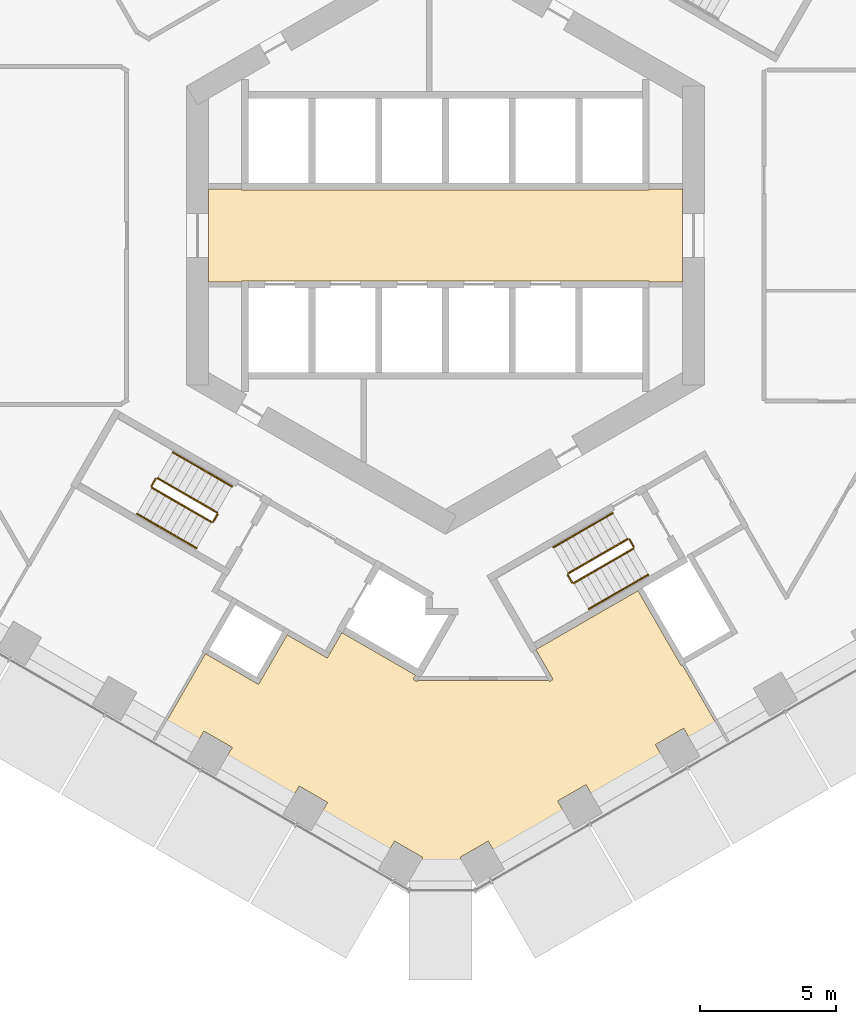
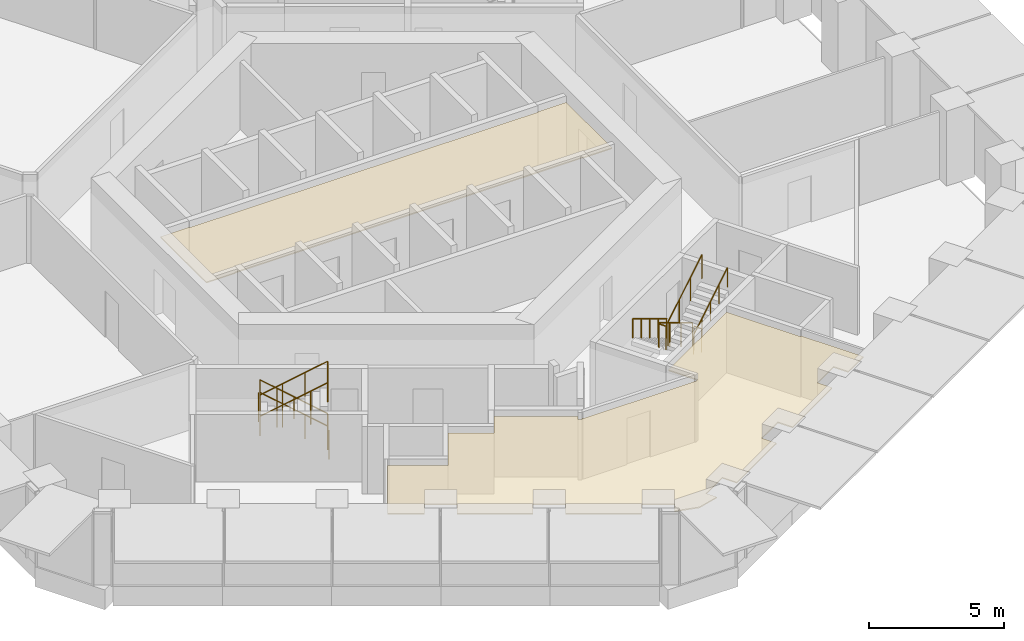
# One storey, part 17 of 19: 16 railings, 2 coverings.
"""IFC4 building model written with IfcOpenShell, lengths in metres."""

from ifc_helpers import new_model, si_unit, direction, frame, origin, origin_2d, place, context, subcontext, project, spatial, polyline, circle, outline, extrude, material, layer, layer_set, type_object, element, save


model = new_model("IFC4")

# Units and contexts
model_context = context("Model", 3, precision=1e-05, world=origin(), true_north=direction((0.0, 1.0)))
body_context = subcontext(model_context, "Body", "Model", "MODEL_VIEW")
ifc_project = project(units=[si_unit("LENGTHUNIT", "METRE"), si_unit("AREAUNIT", "SQUARE_METRE"), si_unit("VOLUMEUNIT", "CUBIC_METRE"), si_unit("PLANEANGLEUNIT", "RADIAN"), si_unit("MASSUNIT", "GRAM", prefix="KILO")], contexts=[model_context])

# Site, building, storey
site_placement = place(None, origin())
site = spatial("IfcSite", under=ifc_project, at=site_placement, CompositionType="ELEMENT")
building_placement = place(site_placement, origin())
building = spatial("IfcBuilding", under=site, at=building_placement, Name="Ayvan Gate Tower", CompositionType="ELEMENT")
storey_placement = place(building_placement, frame((0.0, 0.0, 32.300048828125)))
storey = spatial("IfcBuildingStorey", under=building, at=storey_placement, Name="L07", CompositionType="ELEMENT", Elevation=32.300048828125)

# Coverings
ifc_material_1 = material(Name="Plasterboard suspended ceiling")
ifc_layer = layer(ifc_material_1, 0.050048828125)
ifc_layer_set = layer_set([ifc_layer], Name="Plasterboard suspended ceiling")
covering_type = type_object("IfcCoveringType", Name="CT-SUSP-50", PredefinedType="CEILING", material=ifc_layer_set)
covering_1_placement = place(storey_placement, frame((0.0, 0.0, 2.699951171875)))
element("IfcCovering", 1, at=covering_1_placement, inside=storey, type_object=covering_type, Name="Ceiling Lift Lobby L07", PredefinedType="CEILING", context=body_context, shape_type="SweptSolid", body=[
    extrude(outline(polyline([(7.47509765625, -1.675048828125), (-7.47509765625, -1.675048828125), (-7.47509765625, -1.699951171875), (-8.699951171875, -1.699951171875), (-8.699951171875, 1.699951171875), (-7.47509765625, 1.699951171875), (-7.47509765625, 1.675048828125), (7.47509765625, 1.675048828125), (7.47509765625, 1.699951171875), (8.699951171875, 1.699951171875), (8.699951171875, -1.699951171875), (7.47509765625, -1.699951171875), (7.47509765625, -1.675048828125)])), origin(), (0.0, 0.0, 1.0), 0.050048828125),
])
covering_2_placement = place(storey_placement, frame((0.0, 0.0, 2.699951171875)))
element("IfcCovering", 2, at=covering_2_placement, inside=storey, type_object=covering_type, Name="Ceiling Shared Kitchen L07", PredefinedType="CEILING", context=body_context, shape_type="SweptSolid", body=[
    extrude(outline(polyline([(-6.858154296875, -16.478515625), (-6.76806640625, -16.32275390625), (-5.80810546875, -14.659912109375), (-4.3359375, -15.510009765625), (-4.245849609375, -15.35400390625), (-4.235595703125, -15.33642578125), (-3.798583984375, -14.5791015625), (-3.775390625, -14.59228515625), (-1.092041015625, -16.1416015625), (-1.1806640625, -16.294921875), (-1.050537109375, -16.369873046875), (-1.003173828125, -16.287353515625), (-1.003173828125, -16.34228515625), (3.7744140625, -16.34228515625), (3.7744140625, -16.287353515625), (3.822021484375, -16.369873046875), (3.951904296875, -16.294921875), (3.320556640625, -15.201416015625), (3.346435546875, -15.186279296875), (7.066162109375, -13.038818359375), (8.653564453125, -15.78857421875), (8.697021484375, -15.763427734375), (10.02978515625, -18.072265625), (9.059326171875, -18.632568359375), (8.744384765625, -18.08740234375), (7.705078125, -18.687255859375), (8.02001953125, -19.232666015625), (6.1767578125, -20.296875), (5.47265625, -20.703369140625), (5.15771484375, -20.157958984375), (4.11865234375, -20.758056640625), (4.433349609375, -21.30322265625), (1.885986328125, -22.77392578125), (1.5712890625, -22.228759765625), (0.531982421875, -22.82861328125), (0.76416015625, -23.230712890625), (-0.11865234375, -23.46728515625), (-1.052978515625, -23.217041015625), (-0.828857421875, -22.82861328125), (-1.867919921875, -22.228759765625), (-2.16796875, -22.748291015625), (-4.156982421875, -21.60009765625), (-4.626220703125, -21.3291015625), (-4.326416015625, -20.809326171875), (-5.365478515625, -20.20947265625), (-5.66552734375, -20.72900390625), (-8.123779296875, -19.309814453125), (-7.823974609375, -18.7900390625), (-8.863037109375, -18.18994140625), (-9.1630859375, -18.709716796875), (-10.34912109375, -18.02490234375), (-8.806640625, -15.353515625), (-8.763427734375, -15.378662109375), (-6.858154296875, -16.478515625)])), origin(), (0.0, 0.0, 1.0), 0.050048828125),
])

# Railings
ifc_material_2 = material(Name="Stainless steel balustrade", Category="steel")
railing_type_1 = type_object("IfcRailingType", Name="RL-GUARD-1100", PredefinedType="GUARDRAIL", material=ifc_material_2)
railing_1_placement = place(storey_placement, frame((-8.381103515625, -10.16650390625, 0.169921875)))
element("IfcRailing", 3, at=railing_1_placement, inside=storey, type_object=railing_type_1, Name="L07 STS2 stair guard 1", PredefinedType="GUARDRAIL", context=body_context, shape_type="SweptSolid", body=[
    extrude(circle(Radius=0.02392578125, at=origin_2d()), frame((0.0, 0.0, 1.076171875), z_axis=(-0.740261155115, 0.427395438142, 0.518986090067), x_axis=(-0.500004791531, -0.866022637375, 0.0)), (0.0, 0.0, 1.0), 2.947998046875),
    extrude(circle(Radius=0.02099609375, at=origin_2d()), origin(), (0.0, 0.0, 1.0), 1.052001953125),
    extrude(circle(Radius=0.02099609375, at=origin_2d()), frame((-0.7275390625, 0.419921875, 0.510009765625)), (0.0, 0.0, 1.0), 1.052001953125),
    extrude(circle(Radius=0.02099609375, at=origin_2d()), frame((-1.454833984375, 0.840087890625, 1.02001953125)), (0.0, 0.0, 1.0), 1.052001953125),
    extrude(circle(Radius=0.02099609375, at=origin_2d()), frame((-2.182373046875, 1.260009765625, 1.530029296875)), (0.0, 0.0, 1.0), 1.052001953125),
])
railing_2_placement = place(storey_placement, frame((-10.6318359375, -8.9248046875, 1.699951171875)))
element("IfcRailing", 4, at=railing_2_placement, inside=storey, type_object=railing_type_1, Name="L07 STS2 stair guard 2", PredefinedType="GUARDRAIL", context=body_context, shape_type="SweptSolid", body=[
    extrude(circle(Radius=0.02392578125, at=origin_2d()), frame((0.0, 0.0, 1.076171875), z_axis=(-0.499949632511, -0.866054481515, 0.0), x_axis=(0.866054481515, -0.499949632511, 0.0)), (0.0, 0.0, 1.0), 0.31005859375),
    extrude(circle(Radius=0.02099609375, at=origin_2d()), origin(), (0.0, 0.0, 1.0), 1.052001953125),
    extrude(circle(Radius=0.02099609375, at=origin_2d()), frame((-0.155029296875, -0.2685546875, 0.0)), (0.0, 0.0, 1.0), 1.052001953125),
])
railing_3_placement = place(storey_placement, frame((-10.7685546875, -9.261474609375, 1.869873046875)))
element("IfcRailing", 5, at=railing_3_placement, inside=storey, type_object=railing_type_1, Name="L07 STS2 stair guard 3", PredefinedType="GUARDRAIL", context=body_context, shape_type="SweptSolid", body=[
    extrude(circle(Radius=0.02392578125, at=origin_2d()), frame((0.0, 0.0, 1.076171875), z_axis=(0.740261155115, -0.427395438142, 0.518986090067), x_axis=(0.500004791531, 0.866022637375, 0.0)), (0.0, 0.0, 1.0), 2.947998046875),
    extrude(circle(Radius=0.02099609375, at=origin_2d()), origin(), (0.0, 0.0, 1.0), 1.052001953125),
    extrude(circle(Radius=0.02099609375, at=origin_2d()), frame((0.7275390625, -0.419921875, 0.510009765625)), (0.0, 0.0, 1.0), 1.052001953125),
    extrude(circle(Radius=0.02099609375, at=origin_2d()), frame((1.454833984375, -0.840087890625, 1.02001953125)), (0.0, 0.0, 1.0), 1.052001953125),
    extrude(circle(Radius=0.02099609375, at=origin_2d()), frame((2.182373046875, -1.260009765625, 1.530029296875)), (0.0, 0.0, 1.0), 1.052001953125),
])
railing_4_placement = place(storey_placement, frame((-8.36279296875, -10.23486328125, 0.0)))
element("IfcRailing", 6, at=railing_4_placement, inside=storey, type_object=railing_type_1, Name="L07 STS2 stair guard 4", PredefinedType="GUARDRAIL", context=body_context, shape_type="SweptSolid", body=[
    extrude(circle(Radius=0.02392578125, at=origin_2d()), frame((0.0, 0.0, 1.076171875), z_axis=(-0.500290723946, -0.86585748916, 0.0), x_axis=(0.86585748916, -0.500290723946, 0.0)), (0.0, 0.0, 1.0), 0.309814453125),
    extrude(circle(Radius=0.02099609375, at=origin_2d()), origin(), (0.0, 0.0, 1.0), 1.052001953125),
    extrude(circle(Radius=0.02099609375, at=origin_2d()), frame((-0.155029296875, -0.268310546875, 0.0)), (0.0, 0.0, 1.0), 1.052001953125),
])
railing_5_placement = place(storey_placement, frame((6.6923828125, -11.1416015625, 0.169921875)))
element("IfcRailing", 7, at=railing_5_placement, inside=storey, type_object=railing_type_1, Name="L07 STS3 stair guard 1", PredefinedType="GUARDRAIL", context=body_context, shape_type="SweptSolid", body=[
    extrude(circle(Radius=0.02392578125, at=origin_2d()), frame((0.0, 0.0, 1.076171875), z_axis=(-0.740261155115, -0.427395438142, 0.518986090067), x_axis=(0.500004791531, -0.866022637375, 0.0)), (0.0, 0.0, 1.0), 2.947998046875),
    extrude(circle(Radius=0.02099609375, at=origin_2d()), origin(), (0.0, 0.0, 1.0), 1.052001953125),
    extrude(circle(Radius=0.02099609375, at=origin_2d()), frame((-0.7275390625, -0.419921875, 0.510009765625)), (0.0, 0.0, 1.0), 1.052001953125),
    extrude(circle(Radius=0.02099609375, at=origin_2d()), frame((-1.454833984375, -0.840087890625, 1.02001953125)), (0.0, 0.0, 1.0), 1.052001953125),
    extrude(circle(Radius=0.02099609375, at=origin_2d()), frame((-2.182373046875, -1.260009765625, 1.530029296875)), (0.0, 0.0, 1.0), 1.052001953125),
])
railing_6_placement = place(storey_placement, frame((4.49169921875, -12.4697265625, 1.699951171875)))
element("IfcRailing", 8, at=railing_6_placement, inside=storey, type_object=railing_type_1, Name="L07 STS3 stair guard 2", PredefinedType="GUARDRAIL", context=body_context, shape_type="SweptSolid", body=[
    extrude(circle(Radius=0.02392578125, at=origin_2d()), frame((0.0, 0.0, 1.076171875), z_axis=(0.499949632511, -0.866054481515, 0.0), x_axis=(0.866054481515, 0.499949632511, 0.0)), (0.0, 0.0, 1.0), 0.31005859375),
    extrude(circle(Radius=0.02099609375, at=origin_2d()), origin(), (0.0, 0.0, 1.0), 1.052001953125),
    extrude(circle(Radius=0.02099609375, at=origin_2d()), frame((0.155029296875, -0.2685546875, 0.0)), (0.0, 0.0, 1.0), 1.052001953125),
])
railing_7_placement = place(storey_placement, frame((4.715087890625, -12.756591796875, 1.869873046875)))
element("IfcRailing", 9, at=railing_7_placement, inside=storey, type_object=railing_type_1, Name="L07 STS3 stair guard 3", PredefinedType="GUARDRAIL", context=body_context, shape_type="SweptSolid", body=[
    extrude(circle(Radius=0.02392578125, at=origin_2d()), frame((0.0, 0.0, 1.076171875), z_axis=(0.740261155115, 0.427395438142, 0.518986090067), x_axis=(-0.500004791531, 0.866022637375, 0.0)), (0.0, 0.0, 1.0), 2.947998046875),
    extrude(circle(Radius=0.02099609375, at=origin_2d()), origin(), (0.0, 0.0, 1.0), 1.052001953125),
    extrude(circle(Radius=0.02099609375, at=origin_2d()), frame((0.7275390625, 0.419921875, 0.510009765625)), (0.0, 0.0, 1.0), 1.052001953125),
    extrude(circle(Radius=0.02099609375, at=origin_2d()), frame((1.454833984375, 0.840087890625, 1.02001953125)), (0.0, 0.0, 1.0), 1.052001953125),
    extrude(circle(Radius=0.02099609375, at=origin_2d()), frame((2.182373046875, 1.260009765625, 1.530029296875)), (0.0, 0.0, 1.0), 1.052001953125),
])
railing_8_placement = place(storey_placement, frame((6.7607421875, -11.159912109375, 0.0)))
element("IfcRailing", 10, at=railing_8_placement, inside=storey, type_object=railing_type_1, Name="L07 STS3 stair guard 4", PredefinedType="GUARDRAIL", context=body_context, shape_type="SweptSolid", body=[
    extrude(circle(Radius=0.02392578125, at=origin_2d()), frame((0.0, 0.0, 1.076171875), z_axis=(0.500290723946, -0.86585748916, 0.0), x_axis=(0.86585748916, 0.500290723946, 0.0)), (0.0, 0.0, 1.0), 0.309814453125),
    extrude(circle(Radius=0.02099609375, at=origin_2d()), origin(), (0.0, 0.0, 1.0), 1.052001953125),
    extrude(circle(Radius=0.02099609375, at=origin_2d()), frame((0.155029296875, -0.268310546875, 0.0)), (0.0, 0.0, 1.0), 1.052001953125),
])
railing_type_2 = type_object("IfcRailingType", Name="RL-HANDRAIL-900", PredefinedType="HANDRAIL", material=ifc_material_2)
railing_9_placement = place(storey_placement, frame((-7.8310546875, -9.2138671875, 0.169921875)))
element("IfcRailing", 11, at=railing_9_placement, inside=storey, type_object=railing_type_2, Name="L07 STS2 stair handrail 1", PredefinedType="HANDRAIL", context=body_context, shape_type="SweptSolid", body=[
    extrude(circle(Radius=0.02392578125, at=origin_2d()), frame((0.0, 0.0, 0.8759765625), z_axis=(-0.740292964666, 0.42728318766, 0.519033143459), x_axis=(-0.499890179513, -0.866088799389, 0.0)), (0.0, 0.0, 1.0), 1.47412109375),
    extrude(circle(Radius=0.02099609375, at=origin_2d()), origin(), (0.0, 0.0, 1.0), 0.851806640625),
    extrude(circle(Radius=0.02099609375, at=origin_2d()), frame((-0.545654296875, 0.31494140625, 0.382568359375)), (0.0, 0.0, 1.0), 0.851806640625),
    extrude(circle(Radius=0.02099609375, at=origin_2d()), frame((-1.09130859375, 0.6298828125, 0.76513671875)), (0.0, 0.0, 1.0), 0.851806640625),
])
railing_10_placement = place(storey_placement, frame((-8.92236328125, -8.583984375, 0.93505859375)))
element("IfcRailing", 12, at=railing_10_placement, inside=storey, type_object=railing_type_2, Name="L07 STS2 stair handrail 2", PredefinedType="HANDRAIL", context=body_context, shape_type="SweptSolid", body=[
    extrude(circle(Radius=0.02392578125, at=origin_2d()), frame((0.0, 0.0, 0.8759765625), z_axis=(-0.740229329464, 0.427507697325, 0.518939021976), x_axis=(-0.50011940292, -0.865956455501, 0.0)), (0.0, 0.0, 1.0), 1.473876953125),
    extrude(circle(Radius=0.02099609375, at=origin_2d()), origin(), (0.0, 0.0, 1.0), 0.851806640625),
    extrude(circle(Radius=0.02099609375, at=origin_2d()), frame((-0.54541015625, 0.31494140625, 0.38232421875)), (0.0, 0.0, 1.0), 0.851806640625),
    extrude(circle(Radius=0.02099609375, at=origin_2d()), frame((-1.091064453125, 0.630126953125, 0.764892578125)), (0.0, 0.0, 1.0), 0.851806640625),
])
railing_11_placement = place(storey_placement, frame((-11.318603515625, -10.214111328125, 1.869873046875)))
element("IfcRailing", 13, at=railing_11_placement, inside=storey, type_object=railing_type_2, Name="L07 STS2 stair handrail 3", PredefinedType="HANDRAIL", context=body_context, shape_type="SweptSolid", body=[
    extrude(circle(Radius=0.02392578125, at=origin_2d()), frame((0.0, 0.0, 0.8759765625), z_axis=(0.740240574041, -0.427418550694, 0.518996411419), x_axis=(0.500035496587, 0.86600490885, 0.0)), (0.0, 0.0, 1.0), 1.474365234375),
    extrude(circle(Radius=0.02099609375, at=origin_2d()), origin(), (0.0, 0.0, 1.0), 0.851806640625),
    extrude(circle(Radius=0.02099609375, at=origin_2d()), frame((0.545654296875, -0.31494140625, 0.382568359375)), (0.0, 0.0, 1.0), 0.851806640625),
    extrude(circle(Radius=0.02099609375, at=origin_2d()), frame((1.09130859375, -0.630126953125, 0.76513671875)), (0.0, 0.0, 1.0), 0.851806640625),
])
railing_12_placement = place(storey_placement, frame((-10.227294921875, -10.84423828125, 2.635009765625)))
element("IfcRailing", 14, at=railing_12_placement, inside=storey, type_object=railing_type_2, Name="L07 STS2 stair handrail 4", PredefinedType="HANDRAIL", context=body_context, shape_type="SweptSolid", body=[
    extrude(circle(Radius=0.02392578125, at=origin_2d()), frame((0.0, 0.0, 0.8759765625), z_axis=(0.740356597536, -0.427319915356, 0.518912129772), x_axis=(0.499890179513, 0.866088799389, 0.0)), (0.0, 0.0, 1.0), 1.47412109375),
    extrude(circle(Radius=0.02099609375, at=origin_2d()), origin(), (0.0, 0.0, 1.0), 0.851806640625),
    extrude(circle(Radius=0.02099609375, at=origin_2d()), frame((0.545654296875, -0.31494140625, 0.38232421875)), (0.0, 0.0, 1.0), 0.851806640625),
    extrude(circle(Radius=0.02099609375, at=origin_2d()), frame((1.09130859375, -0.6298828125, 0.764892578125)), (0.0, 0.0, 1.0), 0.851806640625),
])
railing_13_placement = place(storey_placement, frame((6.142333984375, -10.18896484375, 0.169921875)))
element("IfcRailing", 15, at=railing_13_placement, inside=storey, type_object=railing_type_2, Name="L07 STS3 stair handrail 1", PredefinedType="HANDRAIL", context=body_context, shape_type="SweptSolid", body=[
    extrude(circle(Radius=0.02392578125, at=origin_2d()), frame((0.0, 0.0, 0.8759765625), z_axis=(-0.740218099111, -0.427335577468, 0.519096782863), x_axis=(0.499974077718, -0.866040369504, 0.0)), (0.0, 0.0, 1.0), 1.473876953125),
    extrude(circle(Radius=0.02099609375, at=origin_2d()), origin(), (0.0, 0.0, 1.0), 0.851806640625),
    extrude(circle(Radius=0.02099609375, at=origin_2d()), frame((-0.54541015625, -0.31494140625, 0.382568359375)), (0.0, 0.0, 1.0), 0.851806640625),
    extrude(circle(Radius=0.02099609375, at=origin_2d()), frame((-1.091064453125, -0.6298828125, 0.76513671875)), (0.0, 0.0, 1.0), 0.851806640625),
])
railing_14_placement = place(storey_placement, frame((5.05126953125, -10.81884765625, 0.93505859375)))
element("IfcRailing", 16, at=railing_14_placement, inside=storey, type_object=railing_type_2, Name="L07 STS3 stair handrail 2", PredefinedType="HANDRAIL", context=body_context, shape_type="SweptSolid", body=[
    extrude(circle(Radius=0.02392578125, at=origin_2d()), frame((0.0, 0.0, 0.8759765625), z_axis=(-0.740304193401, -0.427455284825, 0.518875399983), x_axis=(0.500035496587, -0.86600490885, 0.0)), (0.0, 0.0, 1.0), 1.47412109375),
    extrude(circle(Radius=0.02099609375, at=origin_2d()), origin(), (0.0, 0.0, 1.0), 0.851806640625),
    extrude(circle(Radius=0.02099609375, at=origin_2d()), frame((-0.545654296875, -0.31494140625, 0.38232421875)), (0.0, 0.0, 1.0), 0.851806640625),
    extrude(circle(Radius=0.02099609375, at=origin_2d()), frame((-1.09130859375, -0.630126953125, 0.764892578125)), (0.0, 0.0, 1.0), 0.851806640625),
])
railing_15_placement = place(storey_placement, frame((5.264892578125, -13.709228515625, 1.869873046875)))
element("IfcRailing", 17, at=railing_15_placement, inside=storey, type_object=railing_type_2, Name="L07 STS3 stair handrail 3", PredefinedType="HANDRAIL", context=body_context, shape_type="SweptSolid", body=[
    extrude(circle(Radius=0.02392578125, at=origin_2d()), frame((0.0, 0.0, 0.8759765625), z_axis=(0.740240574041, 0.427418550694, 0.518996411419), x_axis=(-0.500035496587, 0.86600490885, 0.0)), (0.0, 0.0, 1.0), 1.474365234375),
    extrude(circle(Radius=0.02099609375, at=origin_2d()), origin(), (0.0, 0.0, 1.0), 0.851806640625),
    extrude(circle(Radius=0.02099609375, at=origin_2d()), frame((0.545654296875, 0.31494140625, 0.382568359375)), (0.0, 0.0, 1.0), 0.851806640625),
    extrude(circle(Radius=0.02099609375, at=origin_2d()), frame((1.09130859375, 0.630126953125, 0.76513671875)), (0.0, 0.0, 1.0), 0.851806640625),
])
railing_16_placement = place(storey_placement, frame((6.356201171875, -13.0791015625, 2.635009765625)))
element("IfcRailing", 18, at=railing_16_placement, inside=storey, type_object=railing_type_2, Name="L07 STS3 stair handrail 4", PredefinedType="HANDRAIL", context=body_context, shape_type="SweptSolid", body=[
    extrude(circle(Radius=0.02392578125, at=origin_2d()), frame((0.0, 0.0, 0.8759765625), z_axis=(0.740281741151, 0.427372318678, 0.518975765278), x_axis=(-0.499974077718, 0.866040369504, 0.0)), (0.0, 0.0, 1.0), 1.473876953125),
    extrude(circle(Radius=0.02099609375, at=origin_2d()), origin(), (0.0, 0.0, 1.0), 0.851806640625),
    extrude(circle(Radius=0.02099609375, at=origin_2d()), frame((0.54541015625, 0.31494140625, 0.38232421875)), (0.0, 0.0, 1.0), 0.851806640625),
    extrude(circle(Radius=0.02099609375, at=origin_2d()), frame((1.091064453125, 0.6298828125, 0.764892578125)), (0.0, 0.0, 1.0), 0.851806640625),
])

save(model, "model.ifc")
